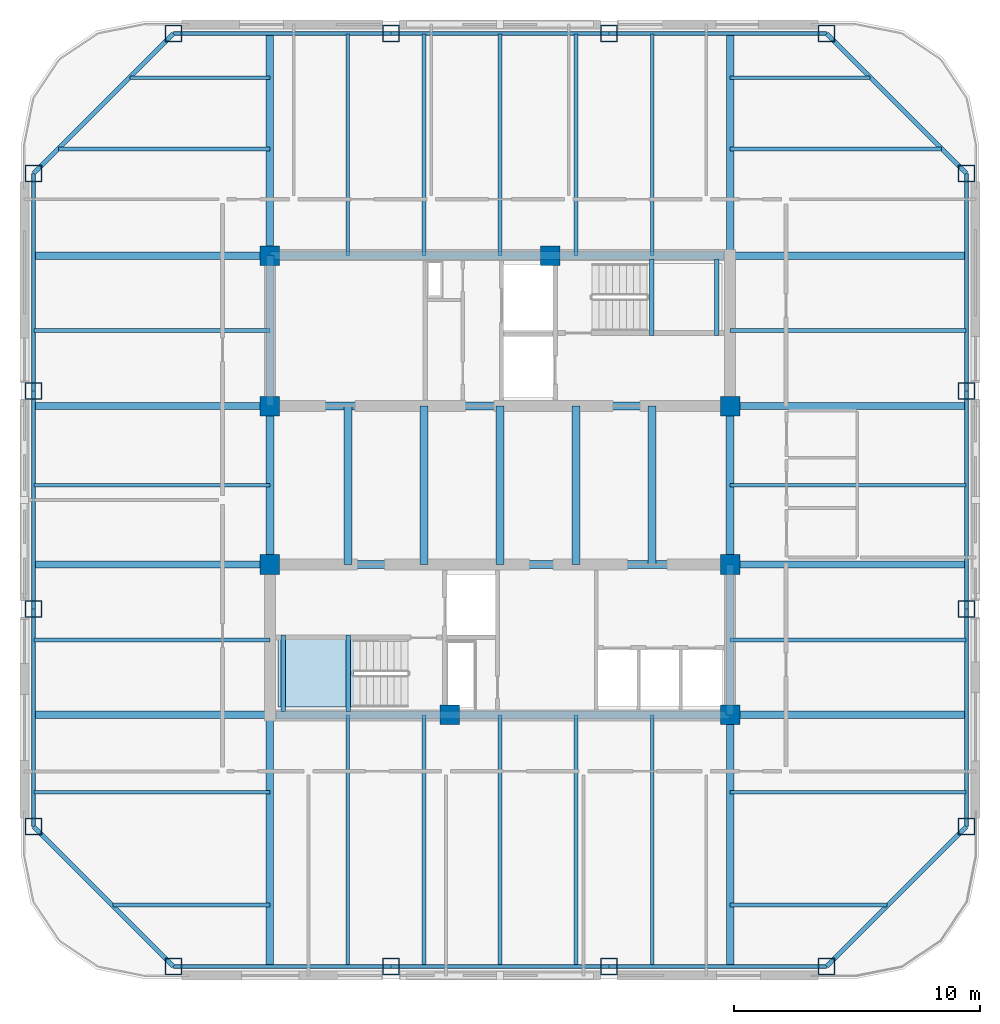
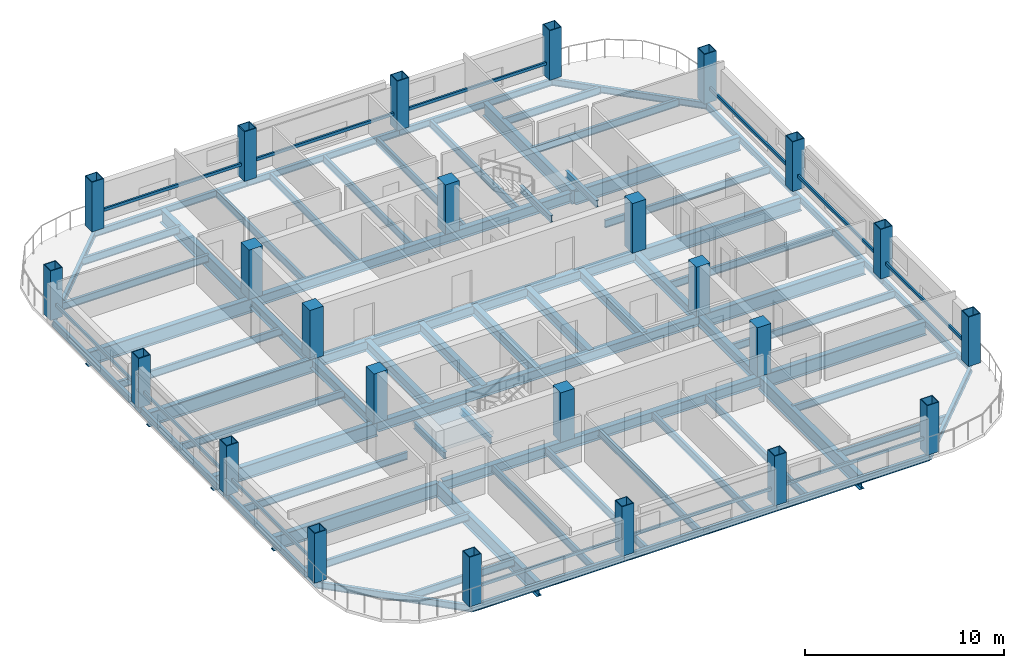
# One storey, part 1 of 8: 69 beams, 24 columns, 4 members, 1 slab, 1 element without a shape of its own.
"""IFC4 building model written with IfcOpenShell, lengths in metres."""

from ifc_helpers import new_model, si_unit, direction, frame, origin, origin_2d, place, context, subcontext, project, spatial, polyline, rectangle, hollow_rectangle, i_section, outline, extrude, material, layer, layer_set, material_profile, profile_set, type_object, element, aggregate, save


model = new_model("IFC4")

# Units and contexts
model_context = context("Model", 3, precision=1e-05, world=origin(), true_north=direction((0.0, 1.0)))
body_context = subcontext(model_context, "Body", "Model", "MODEL_VIEW")
ifc_project = project(units=[si_unit("LENGTHUNIT", "METRE"), si_unit("AREAUNIT", "SQUARE_METRE"), si_unit("VOLUMEUNIT", "CUBIC_METRE"), si_unit("PLANEANGLEUNIT", "RADIAN"), si_unit("MASSUNIT", "GRAM", prefix="KILO")], contexts=[model_context])

# Site, building, storey
site_placement = place(None, origin())
site = spatial("IfcSite", under=ifc_project, at=site_placement, CompositionType="ELEMENT")
building_placement = place(site_placement, origin())
building = spatial("IfcBuilding", under=site, at=building_placement, Name="Qhalaya Broadcast Tower", CompositionType="ELEMENT")
storey_placement = place(building_placement, frame((0.0, 0.0, 208.64990234375)))
storey = spatial("IfcBuildingStorey", under=building, at=storey_placement, Name="L61", CompositionType="ELEMENT", Elevation=208.64990234375)

# Columns
ifc_material_1 = material(Name="Concrete C50/60", Category="concrete")
ifc_material_profile_1 = material_profile(ifc_material_1, rectangle(XDim=0.800048828125, YDim=0.800048828125, at=origin_2d()), Name="RC-COL 800x800")
ifc_profile_set_1 = profile_set([ifc_material_profile_1], Name="Concrete C50/60")
column_type_1 = type_object("IfcColumnType", Name="RC Upper Column C10", PredefinedType="COLUMN", material=ifc_profile_set_1)
for number, where, z_axis, x_axis, name in (
    (1, (-9.375, 9.949951171875, 0.0), (0.0, 0.0, 1.0), (1.0, 0.0, 0.0), "L61 Column COL-CC1"),
    (2, (2.050048828125, 9.949951171875, 0.0), (0.0, 0.0, 1.0), (1.0, 0.0, 0.0), "L61 Column COL-CC2"),
    (3, (-9.375, 3.824951171875, 0.0), (0.0, 0.0, 1.0), (1.0, 0.0, 0.0), "L61 Column COL-CC3"),
    (4, (9.375, 3.824951171875, 0.0), (0.0, 0.0, 1.0), (1.0, 0.0, 0.0), "L61 Column COL-CC4"),
    (5, (-9.375, -2.625, 0.0), (0.0, 0.0, 1.0), (1.0, 0.0, 0.0), "L61 Column COL-CC5"),
    (6, (9.375, -2.625, 0.0), (0.0, 0.0, 1.0), (1.0, 0.0, 0.0), "L61 Column COL-CC6"),
    (7, (-2.050048828125, -8.75, 0.0), (0.0, 0.0, 1.0), (1.0, 0.0, 0.0), "L61 Column COL-CC7"),
    (8, (9.375, -8.75, 0.0), (0.0, 0.0, 1.0), (1.0, 0.0, 0.0), "L61 Column COL-CC8"),
):
    element("IfcColumn", number, at=place(storey_placement, frame(where, z_axis=z_axis, x_axis=x_axis)), inside=storey, type_object=column_type_1, Name=name, PredefinedType="COLUMN", context=body_context, shape_type="SweptSolid", body=[
        extrude(rectangle(XDim=0.800048828125, YDim=0.800048828125, at=origin_2d()), origin(), (0.0, 0.0, 1.0), 3.050048828125),
    ])
ifc_material_2 = material(Name="Structural Steel ASTM A572 Grade 50", Category="steel")
ifc_material_profile_2 = material_profile(ifc_material_2, hollow_rectangle(XDim=0.699951171875, YDim=0.699951171875, WallThickness=0.044921875, at=origin_2d()), Name="BOX 700x700x45")
ifc_profile_set_2 = profile_set([ifc_material_profile_2], Name="Structural Steel ASTM A572 Grade 50")
column_type_2 = type_object("IfcColumnType", Name="Steel Box Column C04", PredefinedType="COLUMN", material=ifc_profile_set_2)
for number, where, z_axis, x_axis, name in (
    (9, (-13.300048828125, -19.0, 0.0), (0.0, 0.0, 1.0), (1.0, 0.0, 0.0), "L61 Column COL-EX01"),
    (10, (-4.433349609375, -19.0, 0.0), (0.0, 0.0, 1.0), (1.0, 0.0, 0.0), "L61 Column COL-EX02"),
    (11, (4.433349609375, -19.0, 0.0), (0.0, 0.0, 1.0), (1.0, 0.0, 0.0), "L61 Column COL-EX03"),
    (12, (13.300048828125, -19.0, 0.0), (0.0, 0.0, 1.0), (1.0, 0.0, 0.0), "L61 Column COL-EX04"),
    (13, (19.0, -13.300048828125, 0.0), (0.0, 0.0, 1.0), (0.0, 1.0, 0.0), "L61 Column COL-EX05"),
    (14, (19.0, -4.433349609375, 0.0), (0.0, 0.0, 1.0), (0.0, 1.0, 0.0), "L61 Column COL-EX06"),
    (15, (19.0, 4.433349609375, 0.0), (0.0, 0.0, 1.0), (0.0, 1.0, 0.0), "L61 Column COL-EX07"),
    (16, (19.0, 13.300048828125, 0.0), (0.0, 0.0, 1.0), (0.0, 1.0, 0.0), "L61 Column COL-EX08"),
    (17, (13.300048828125, 19.0, 0.0), (0.0, 0.0, 1.0), (1.0, 0.0, 0.0), "L61 Column COL-EX09"),
    (18, (4.433349609375, 19.0, 0.0), (0.0, 0.0, 1.0), (1.0, 0.0, 0.0), "L61 Column COL-EX10"),
    (19, (-4.433349609375, 19.0, 0.0), (0.0, 0.0, 1.0), (1.0, 0.0, 0.0), "L61 Column COL-EX11"),
    (20, (-13.300048828125, 19.0, 0.0), (0.0, 0.0, 1.0), (1.0, 0.0, 0.0), "L61 Column COL-EX12"),
    (21, (-19.0, 13.300048828125, 0.0), (0.0, 0.0, 1.0), (0.0, 1.0, 0.0), "L61 Column COL-EX13"),
    (22, (-19.0, 4.433349609375, 0.0), (0.0, 0.0, 1.0), (0.0, 1.0, 0.0), "L61 Column COL-EX14"),
    (23, (-19.0, -4.433349609375, 0.0), (0.0, 0.0, 1.0), (0.0, 1.0, 0.0), "L61 Column COL-EX15"),
    (24, (-19.0, -13.300048828125, 0.0), (0.0, 0.0, 1.0), (0.0, 1.0, 0.0), "L61 Column COL-EX16"),
):
    element("IfcColumn", number, at=place(storey_placement, frame(where, z_axis=z_axis, x_axis=x_axis)), inside=storey, type_object=column_type_2, Name=name, PredefinedType="COLUMN", context=body_context, shape_type="SweptSolid", body=[
        extrude(hollow_rectangle(XDim=0.699951171875, YDim=0.699951171875, WallThickness=0.044921875, at=origin_2d()), origin(), (0.0, 0.0, 1.0), 3.050048828125),
    ])

# Beams
ifc_material_3 = material(Name="Structural Steel ASTM A992 Grade 50", Category="steel")
ifc_material_profile_3 = material_profile(ifc_material_3, i_section(OverallWidth=0.154052734375, OverallDepth=0.458984375, WebThickness=0.009033203125, FlangeThickness=0.015380859375, at=origin_2d()), Name="W18X46")
ifc_profile_set_3 = profile_set([ifc_material_profile_3], Name="Structural Steel ASTM A992 Grade 50")
beam_type_1 = type_object("IfcBeamType", Name="Composite Floor Joist J04", PredefinedType="JOIST", material=ifc_profile_set_3)
beam_1_placement = place(storey_placement, frame((-6.199951171875, -18.97998046875, -0.41943359375), z_axis=(0.0, 1.0, 0.0), x_axis=(-1.0, 0.0, 0.0)))
element("IfcBeam", 25, at=beam_1_placement, inside=storey, type_object=beam_type_1, Name="L61 J04 L61-JNS1-1", PredefinedType="JOIST", context=body_context, shape_type="SweptSolid", body=[
    extrude(i_section(OverallWidth=0.154052734375, OverallDepth=0.458984375, WebThickness=0.009033203125, FlangeThickness=0.015380859375, at=origin_2d()), origin(), (0.0, 0.0, 1.0), 10.22998046875),
])
beam_2_placement = place(storey_placement, frame((-6.199951171875, 9.949951171875, -0.41943359375), z_axis=(0.0, 1.0, 0.0), x_axis=(-1.0, 0.0, 0.0)))
element("IfcBeam", 26, at=beam_2_placement, inside=storey, type_object=beam_type_1, Name="L61 J04 L61-JNN1-1", PredefinedType="JOIST", context=body_context, shape_type="SweptSolid", body=[
    extrude(i_section(OverallWidth=0.154052734375, OverallDepth=0.458984375, WebThickness=0.009033203125, FlangeThickness=0.015380859375, at=origin_2d()), origin(), (0.0, 0.0, 1.0), 9.030029296875),
])
beam_3_placement = place(storey_placement, frame((-3.10009765625, -18.97998046875, -0.41943359375), z_axis=(0.0, 1.0, 0.0), x_axis=(-1.0, 0.0, 0.0)))
element("IfcBeam", 27, at=beam_3_placement, inside=storey, type_object=beam_type_1, Name="L61 J04 L61-JNS2-1", PredefinedType="JOIST", context=body_context, shape_type="SweptSolid", body=[
    extrude(i_section(OverallWidth=0.154052734375, OverallDepth=0.458984375, WebThickness=0.009033203125, FlangeThickness=0.015380859375, at=origin_2d()), origin(), (0.0, 0.0, 1.0), 10.22998046875),
])
beam_4_placement = place(storey_placement, frame((-3.10009765625, 9.949951171875, -0.41943359375), z_axis=(0.0, 1.0, 0.0), x_axis=(-1.0, 0.0, 0.0)))
element("IfcBeam", 28, at=beam_4_placement, inside=storey, type_object=beam_type_1, Name="L61 J04 L61-JNN2-1", PredefinedType="JOIST", context=body_context, shape_type="SweptSolid", body=[
    extrude(i_section(OverallWidth=0.154052734375, OverallDepth=0.458984375, WebThickness=0.009033203125, FlangeThickness=0.015380859375, at=origin_2d()), origin(), (0.0, 0.0, 1.0), 9.030029296875),
])
beam_5_placement = place(storey_placement, frame((0.0, -18.97998046875, -0.41943359375), z_axis=(0.0, 1.0, 0.0), x_axis=(-1.0, 0.0, 0.0)))
element("IfcBeam", 29, at=beam_5_placement, inside=storey, type_object=beam_type_1, Name="L61 J04 L61-JNS3-1", PredefinedType="JOIST", context=body_context, shape_type="SweptSolid", body=[
    extrude(i_section(OverallWidth=0.154052734375, OverallDepth=0.458984375, WebThickness=0.009033203125, FlangeThickness=0.015380859375, at=origin_2d()), origin(), (0.0, 0.0, 1.0), 10.22998046875),
])
beam_6_placement = place(storey_placement, frame((0.0, 9.949951171875, -0.41943359375), z_axis=(0.0, 1.0, 0.0), x_axis=(-1.0, 0.0, 0.0)))
element("IfcBeam", 30, at=beam_6_placement, inside=storey, type_object=beam_type_1, Name="L61 J04 L61-JNN3-1", PredefinedType="JOIST", context=body_context, shape_type="SweptSolid", body=[
    extrude(i_section(OverallWidth=0.154052734375, OverallDepth=0.458984375, WebThickness=0.009033203125, FlangeThickness=0.015380859375, at=origin_2d()), origin(), (0.0, 0.0, 1.0), 9.030029296875),
])
beam_7_placement = place(storey_placement, frame((3.10009765625, -18.97998046875, -0.41943359375), z_axis=(0.0, 1.0, 0.0), x_axis=(-1.0, 0.0, 0.0)))
element("IfcBeam", 31, at=beam_7_placement, inside=storey, type_object=beam_type_1, Name="L61 J04 L61-JNS4-1", PredefinedType="JOIST", context=body_context, shape_type="SweptSolid", body=[
    extrude(i_section(OverallWidth=0.154052734375, OverallDepth=0.458984375, WebThickness=0.009033203125, FlangeThickness=0.015380859375, at=origin_2d()), origin(), (0.0, 0.0, 1.0), 10.22998046875),
])
beam_8_placement = place(storey_placement, frame((3.10009765625, 9.949951171875, -0.41943359375), z_axis=(0.0, 1.0, 0.0), x_axis=(-1.0, 0.0, 0.0)))
element("IfcBeam", 32, at=beam_8_placement, inside=storey, type_object=beam_type_1, Name="L61 J04 L61-JNN4-1", PredefinedType="JOIST", context=body_context, shape_type="SweptSolid", body=[
    extrude(i_section(OverallWidth=0.154052734375, OverallDepth=0.458984375, WebThickness=0.009033203125, FlangeThickness=0.015380859375, at=origin_2d()), origin(), (0.0, 0.0, 1.0), 9.030029296875),
])
beam_9_placement = place(storey_placement, frame((6.199951171875, -18.97998046875, -0.41943359375), z_axis=(0.0, 1.0, 0.0), x_axis=(-1.0, 0.0, 0.0)))
element("IfcBeam", 33, at=beam_9_placement, inside=storey, type_object=beam_type_1, Name="L61 J04 L61-JNS5-1", PredefinedType="JOIST", context=body_context, shape_type="SweptSolid", body=[
    extrude(i_section(OverallWidth=0.154052734375, OverallDepth=0.458984375, WebThickness=0.009033203125, FlangeThickness=0.015380859375, at=origin_2d()), origin(), (0.0, 0.0, 1.0), 10.22998046875),
])
beam_10_placement = place(storey_placement, frame((6.199951171875, 9.949951171875, -0.41943359375), z_axis=(0.0, 1.0, 0.0), x_axis=(-1.0, 0.0, 0.0)))
element("IfcBeam", 34, at=beam_10_placement, inside=storey, type_object=beam_type_1, Name="L61 J04 L61-JNN5-1", PredefinedType="JOIST", context=body_context, shape_type="SweptSolid", body=[
    extrude(i_section(OverallWidth=0.154052734375, OverallDepth=0.458984375, WebThickness=0.009033203125, FlangeThickness=0.015380859375, at=origin_2d()), origin(), (0.0, 0.0, 1.0), 9.030029296875),
])
for number, where, z_axis, x_axis, name in (
    (35, (-15.771728515625, -16.5, -0.41943359375), (1.0, 0.0, 0.0), (0.0, 1.0, 0.0), "L61 J04 L61-JWE1W-1"),
    (36, (9.375, -16.5, -0.41943359375), (1.0, 0.0, 0.0), (0.0, 1.0, 0.0), "L61 J04 L61-JWE1E-1"),
):
    element("IfcBeam", number, at=place(storey_placement, frame(where, z_axis=z_axis, x_axis=x_axis)), inside=storey, type_object=beam_type_1, Name=name, PredefinedType="JOIST", context=body_context, shape_type="SweptSolid", body=[
        extrude(i_section(OverallWidth=0.154052734375, OverallDepth=0.458984375, WebThickness=0.009033203125, FlangeThickness=0.015380859375, at=origin_2d()), origin(), (0.0, 0.0, 1.0), 6.396728515625),
    ])
for number, where, z_axis, x_axis, name in (
    (37, (-18.97998046875, -11.89990234375, -0.41943359375), (1.0, 0.0, 0.0), (0.0, 1.0, 0.0), "L61 J04 L61-JWE2W-1"),
    (38, (9.375, -11.89990234375, -0.41943359375), (1.0, 0.0, 0.0), (0.0, 1.0, 0.0), "L61 J04 L61-JWE2E-1"),
    (39, (-18.97998046875, -5.699951171875, -0.41943359375), (1.0, 0.0, 0.0), (0.0, 1.0, 0.0), "L61 J04 L61-JWE3W-1"),
    (40, (9.375, -5.699951171875, -0.41943359375), (1.0, 0.0, 0.0), (0.0, 1.0, 0.0), "L61 J04 L61-JWE3E-1"),
    (41, (-18.97998046875, 0.60009765625, -0.41943359375), (1.0, 0.0, 0.0), (0.0, 1.0, 0.0), "L61 J04 L61-JWE4W-1"),
    (42, (9.375, 0.60009765625, -0.41943359375), (1.0, 0.0, 0.0), (0.0, 1.0, 0.0), "L61 J04 L61-JWE4E-1"),
    (43, (-18.97998046875, 6.89990234375, -0.41943359375), (1.0, 0.0, 0.0), (0.0, 1.0, 0.0), "L61 J04 L61-JWE5W-1"),
    (44, (9.375, 6.89990234375, -0.41943359375), (1.0, 0.0, 0.0), (0.0, 1.0, 0.0), "L61 J04 L61-JWE5E-1"),
):
    element("IfcBeam", number, at=place(storey_placement, frame(where, z_axis=z_axis, x_axis=x_axis)), inside=storey, type_object=beam_type_1, Name=name, PredefinedType="JOIST", context=body_context, shape_type="SweptSolid", body=[
        extrude(i_section(OverallWidth=0.154052734375, OverallDepth=0.458984375, WebThickness=0.009033203125, FlangeThickness=0.015380859375, at=origin_2d()), origin(), (0.0, 0.0, 1.0), 9.60498046875),
    ])
for number, where, z_axis, x_axis, name in (
    (45, (-17.9716796875, 14.300048828125, -0.41943359375), (1.0, 0.0, 0.0), (0.0, 1.0, 0.0), "L61 J04 L61-JWE6W-1"),
    (46, (9.375, 14.300048828125, -0.41943359375), (1.0, 0.0, 0.0), (0.0, 1.0, 0.0), "L61 J04 L61-JWE6E-1"),
):
    element("IfcBeam", number, at=place(storey_placement, frame(where, z_axis=z_axis, x_axis=x_axis)), inside=storey, type_object=beam_type_1, Name=name, PredefinedType="JOIST", context=body_context, shape_type="SweptSolid", body=[
        extrude(i_section(OverallWidth=0.154052734375, OverallDepth=0.458984375, WebThickness=0.009033203125, FlangeThickness=0.015380859375, at=origin_2d()), origin(), (0.0, 0.0, 1.0), 8.5966796875),
    ])
for number, where, z_axis, x_axis, name in (
    (47, (-15.07177734375, 17.199951171875, -0.41943359375), (1.0, 0.0, 0.0), (0.0, 1.0, 0.0), "L61 J04 L61-JWE7W-1"),
    (48, (9.375, 17.199951171875, -0.41943359375), (1.0, 0.0, 0.0), (0.0, 1.0, 0.0), "L61 J04 L61-JWE7E-1"),
):
    element("IfcBeam", number, at=place(storey_placement, frame(where, z_axis=z_axis, x_axis=x_axis)), inside=storey, type_object=beam_type_1, Name=name, PredefinedType="JOIST", context=body_context, shape_type="SweptSolid", body=[
        extrude(i_section(OverallWidth=0.154052734375, OverallDepth=0.458984375, WebThickness=0.009033203125, FlangeThickness=0.015380859375, at=origin_2d()), origin(), (0.0, 0.0, 1.0), 5.69677734375),
    ])
ifc_material_profile_4 = material_profile(ifc_material_3, i_section(OverallWidth=0.323974609375, OverallDepth=0.612060546875, WebThickness=0.0126953125, FlangeThickness=0.01904296875, at=origin_2d()), Name="W24X104")
ifc_profile_set_4 = profile_set([ifc_material_profile_4], Name="Structural Steel ASTM A992 Grade 50")
beam_type_2 = type_object("IfcBeamType", Name="Core Frame Tie Beam B04", PredefinedType="BEAM", material=ifc_profile_set_4)
beam_11_placement = place(storey_placement, frame((-9.375, 3.824951171875, -0.495849609375), z_axis=(1.0, 0.0, 0.0), x_axis=(0.0, 1.0, 0.0)))
element("IfcBeam", 49, at=beam_11_placement, inside=storey, type_object=beam_type_2, Name="L61 B04 L61-CCN1", PredefinedType="BEAM", context=body_context, shape_type="SweptSolid", body=[
    extrude(i_section(OverallWidth=0.323974609375, OverallDepth=0.612060546875, WebThickness=0.0126953125, FlangeThickness=0.01904296875, at=origin_2d()), origin(), (0.0, 0.0, 1.0), 18.75),
])
beam_12_placement = place(storey_placement, frame((-9.375, 3.824951171875, -0.495849609375), z_axis=(0.0, 1.0, 0.0), x_axis=(-1.0, 0.0, 0.0)))
element("IfcBeam", 50, at=beam_12_placement, inside=storey, type_object=beam_type_2, Name="L61 B04 L61-CCN2", PredefinedType="BEAM", context=body_context, shape_type="SweptSolid", body=[
    extrude(i_section(OverallWidth=0.323974609375, OverallDepth=0.612060546875, WebThickness=0.0126953125, FlangeThickness=0.01904296875, at=origin_2d()), origin(), (0.0, 0.0, 1.0), 6.125),
])
beam_13_placement = place(storey_placement, frame((-9.375, 9.949951171875, -0.495849609375), z_axis=(1.0, 0.0, 0.0), x_axis=(0.0, 1.0, 0.0)))
element("IfcBeam", 51, at=beam_13_placement, inside=storey, type_object=beam_type_2, Name="L61 B04 L61-CCN3", PredefinedType="BEAM", context=body_context, shape_type="SweptSolid", body=[
    extrude(i_section(OverallWidth=0.323974609375, OverallDepth=0.612060546875, WebThickness=0.0126953125, FlangeThickness=0.01904296875, at=origin_2d()), origin(), (0.0, 0.0, 1.0), 18.4951171875),
])
beam_14_placement = place(storey_placement, frame((-9.375, -2.625, -0.495849609375), z_axis=(1.0, 0.0, 0.0), x_axis=(0.0, 1.0, 0.0)))
element("IfcBeam", 52, at=beam_14_placement, inside=storey, type_object=beam_type_2, Name="L61 B04 L61-CCS1", PredefinedType="BEAM", context=body_context, shape_type="SweptSolid", body=[
    extrude(i_section(OverallWidth=0.323974609375, OverallDepth=0.612060546875, WebThickness=0.0126953125, FlangeThickness=0.01904296875, at=origin_2d()), origin(), (0.0, 0.0, 1.0), 18.75),
])
beam_15_placement = place(storey_placement, frame((9.375, -8.75, -0.495849609375), z_axis=(0.0, 1.0, 0.0), x_axis=(-1.0, 0.0, 0.0)))
element("IfcBeam", 53, at=beam_15_placement, inside=storey, type_object=beam_type_2, Name="L61 B04 L61-CCS2", PredefinedType="BEAM", context=body_context, shape_type="SweptSolid", body=[
    extrude(i_section(OverallWidth=0.323974609375, OverallDepth=0.612060546875, WebThickness=0.0126953125, FlangeThickness=0.01904296875, at=origin_2d()), origin(), (0.0, 0.0, 1.0), 6.125),
])
beam_16_placement = place(storey_placement, frame((-9.1201171875, -8.75, -0.495849609375), z_axis=(1.0, 0.0, 0.0), x_axis=(0.0, 1.0, 0.0)))
element("IfcBeam", 54, at=beam_16_placement, inside=storey, type_object=beam_type_2, Name="L61 B04 L61-CCS3", PredefinedType="BEAM", context=body_context, shape_type="SweptSolid", body=[
    extrude(i_section(OverallWidth=0.323974609375, OverallDepth=0.612060546875, WebThickness=0.0126953125, FlangeThickness=0.01904296875, at=origin_2d()), origin(), (0.0, 0.0, 1.0), 18.4951171875),
])
for number, where, z_axis, x_axis, name in (
    (55, (-9.375, -2.625, -0.495849609375), (0.0, 1.0, 0.0), (-1.0, 0.0, 0.0), "L61 B04 L61-CCW"),
    (56, (9.375, -2.625, -0.495849609375), (0.0, 1.0, 0.0), (-1.0, 0.0, 0.0), "L61 B04 L61-CCE"),
    (57, (-6.199951171875, -2.625, -0.495849609375), (0.0, 1.0, 0.0), (-1.0, 0.0, 0.0), "L61 B04 L61-JC1-1"),
    (58, (-3.10009765625, -2.625, -0.495849609375), (0.0, 1.0, 0.0), (-1.0, 0.0, 0.0), "L61 B04 L61-JC2-1"),
    (59, (0.0, -2.625, -0.495849609375), (0.0, 1.0, 0.0), (-1.0, 0.0, 0.0), "L61 B04 L61-JC3-1"),
    (60, (3.10009765625, -2.625, -0.495849609375), (0.0, 1.0, 0.0), (-1.0, 0.0, 0.0), "L61 B04 L61-JC4-1"),
    (61, (6.199951171875, -2.625, -0.495849609375), (0.0, 1.0, 0.0), (-1.0, 0.0, 0.0), "L61 B04 L61-JC5-1"),
):
    element("IfcBeam", number, at=place(storey_placement, frame(where, z_axis=z_axis, x_axis=x_axis)), inside=storey, type_object=beam_type_2, Name=name, PredefinedType="BEAM", context=body_context, shape_type="SweptSolid", body=[
        extrude(i_section(OverallWidth=0.323974609375, OverallDepth=0.612060546875, WebThickness=0.0126953125, FlangeThickness=0.01904296875, at=origin_2d()), origin(), (0.0, 0.0, 1.0), 6.449951171875),
    ])

# Members
ifc_material_4 = material(Name="Fired Architectural Terracotta", Category="masonry")
ifc_material_profile_5 = material_profile(ifc_material_4, hollow_rectangle(XDim=0.110107421875, YDim=0.179931640625, WallThickness=0.01806640625, at=origin_2d()), Name="TB-BAG 110x180x18")
ifc_profile_set_5 = profile_set([ifc_material_profile_5], Name="Fired Architectural Terracotta")
member_type = type_object("IfcMemberType", Name="Fired Terracotta Facade Baguette Member TB1", PredefinedType="USERDEFINED", material=ifc_profile_set_5)
for number, where, z_axis, x_axis, name in (
    (62, (-13.300048828125, -19.0, 0.858154296875), (1.0, 0.0, 0.0), (0.0, 1.0, 0.0), "L61 Terracotta Baguette Feature Rail S"),
    (63, (19.0, -13.300048828125, 0.858154296875), (0.0, 1.0, 0.0), (-1.0, 0.0, 0.0), "L61 Terracotta Baguette Feature Rail E"),
    (64, (13.300048828125, 19.0, 0.858154296875), (-1.0, 0.0, 0.0), (0.0, -1.0, 0.0), "L61 Terracotta Baguette Feature Rail N"),
    (65, (-19.0, 13.300048828125, 0.858154296875), (0.0, -1.0, 0.0), (1.0, 0.0, 0.0), "L61 Terracotta Baguette Feature Rail W"),
):
    element("IfcMember", number, at=place(storey_placement, frame(where, z_axis=z_axis, x_axis=x_axis)), inside=storey, type_object=member_type, Name=name, ObjectType="BAGUETTE", PredefinedType="USERDEFINED", context=body_context, shape_type="SweptSolid", body=[
        extrude(hollow_rectangle(XDim=0.110107421875, YDim=0.179931640625, WallThickness=0.01806640625, at=origin_2d()), origin(), (0.0, 0.0, 1.0), 26.60009765625),
    ])

# Beams
ifc_material_profile_6 = material_profile(ifc_material_3, i_section(OverallWidth=0.2919921875, OverallDepth=0.85888671875, WebThickness=0.01708984375, FlangeThickness=0.031005859375, at=origin_2d()), Name="W33X169")
ifc_profile_set_6 = profile_set([ifc_material_profile_6], Name="Structural Steel ASTM A992 Grade 50")
beam_type_3 = type_object("IfcBeamType", Name="Upper Block Primary Girder PG4", PredefinedType="USERDEFINED", material=ifc_profile_set_6)
beam_17_placement = place(storey_placement, frame((-9.375, -18.97998046875, -0.619384765625), z_axis=(0.0, 1.0, 0.0), x_axis=(-1.0, 0.0, 0.0)))
element("IfcBeam", 66, at=beam_17_placement, inside=storey, type_object=beam_type_3, Name="L61 PG4 L61-PGXS1-1", ObjectType="GIRDER", PredefinedType="USERDEFINED", context=body_context, shape_type="SweptSolid", body=[
    extrude(i_section(OverallWidth=0.2919921875, OverallDepth=0.85888671875, WebThickness=0.01708984375, FlangeThickness=0.031005859375, at=origin_2d()), origin(), (0.0, 0.0, 1.0), 10.22998046875),
])
beam_18_placement = place(storey_placement, frame((-9.375, 9.949951171875, -0.619384765625), z_axis=(0.0, 1.0, 0.0), x_axis=(-1.0, 0.0, 0.0)))
element("IfcBeam", 67, at=beam_18_placement, inside=storey, type_object=beam_type_3, Name="L61 PG4 L61-PGXN1-1", ObjectType="GIRDER", PredefinedType="USERDEFINED", context=body_context, shape_type="SweptSolid", body=[
    extrude(i_section(OverallWidth=0.2919921875, OverallDepth=0.85888671875, WebThickness=0.01708984375, FlangeThickness=0.031005859375, at=origin_2d()), origin(), (0.0, 0.0, 1.0), 9.030029296875),
])
beam_19_placement = place(storey_placement, frame((9.375, -18.97998046875, -0.619384765625), z_axis=(0.0, 1.0, 0.0), x_axis=(-1.0, 0.0, 0.0)))
element("IfcBeam", 68, at=beam_19_placement, inside=storey, type_object=beam_type_3, Name="L61 PG4 L61-PGXS2-1", ObjectType="GIRDER", PredefinedType="USERDEFINED", context=body_context, shape_type="SweptSolid", body=[
    extrude(i_section(OverallWidth=0.2919921875, OverallDepth=0.85888671875, WebThickness=0.01708984375, FlangeThickness=0.031005859375, at=origin_2d()), origin(), (0.0, 0.0, 1.0), 10.22998046875),
])
beam_20_placement = place(storey_placement, frame((9.375, 9.949951171875, -0.619384765625), z_axis=(0.0, 1.0, 0.0), x_axis=(-1.0, 0.0, 0.0)))
element("IfcBeam", 69, at=beam_20_placement, inside=storey, type_object=beam_type_3, Name="L61 PG4 L61-PGXN2-1", ObjectType="GIRDER", PredefinedType="USERDEFINED", context=body_context, shape_type="SweptSolid", body=[
    extrude(i_section(OverallWidth=0.2919921875, OverallDepth=0.85888671875, WebThickness=0.01708984375, FlangeThickness=0.031005859375, at=origin_2d()), origin(), (0.0, 0.0, 1.0), 9.030029296875),
])
for number, where, z_axis, x_axis, name in (
    (70, (-18.97998046875, -8.75, -0.619384765625), (1.0, 0.0, 0.0), (0.0, 1.0, 0.0), "L61 PG4 L61-PGYW1-1"),
    (71, (9.375, -8.75, -0.619384765625), (1.0, 0.0, 0.0), (0.0, 1.0, 0.0), "L61 PG4 L61-PGYE1-1"),
    (72, (-18.97998046875, -2.625, -0.619384765625), (1.0, 0.0, 0.0), (0.0, 1.0, 0.0), "L61 PG4 L61-PGYW2-1"),
    (73, (9.375, -2.625, -0.619384765625), (1.0, 0.0, 0.0), (0.0, 1.0, 0.0), "L61 PG4 L61-PGYE2-1"),
    (74, (-18.97998046875, 3.824951171875, -0.619384765625), (1.0, 0.0, 0.0), (0.0, 1.0, 0.0), "L61 PG4 L61-PGYW3-1"),
    (75, (9.375, 3.824951171875, -0.619384765625), (1.0, 0.0, 0.0), (0.0, 1.0, 0.0), "L61 PG4 L61-PGYE3-1"),
    (76, (-18.97998046875, 9.949951171875, -0.619384765625), (1.0, 0.0, 0.0), (0.0, 1.0, 0.0), "L61 PG4 L61-PGYW4-1"),
    (77, (9.375, 9.949951171875, -0.619384765625), (1.0, 0.0, 0.0), (0.0, 1.0, 0.0), "L61 PG4 L61-PGYE4-1"),
):
    element("IfcBeam", number, at=place(storey_placement, frame(where, z_axis=z_axis, x_axis=x_axis)), inside=storey, type_object=beam_type_3, Name=name, ObjectType="GIRDER", PredefinedType="USERDEFINED", context=body_context, shape_type="SweptSolid", body=[
        extrude(i_section(OverallWidth=0.2919921875, OverallDepth=0.85888671875, WebThickness=0.01708984375, FlangeThickness=0.031005859375, at=origin_2d()), origin(), (0.0, 0.0, 1.0), 9.60498046875),
    ])
ifc_material_profile_7 = material_profile(ifc_material_3, i_section(OverallWidth=0.177978515625, OverallDepth=0.406005859375, WebThickness=0.0078125, FlangeThickness=0.0126953125, at=origin_2d()), Name="W16X40")
ifc_profile_set_7 = profile_set([ifc_material_profile_7], Name="Structural Steel ASTM A992 Grade 50")
beam_type_4 = type_object("IfcBeamType", Name="Upper Perimeter Spandrel Beam SP2", PredefinedType="SPANDREL", material=ifc_profile_set_7)
for number, where, z_axis, x_axis, name in (
    (78, (-13.300048828125, -19.0, -0.392822265625), (1.0, 0.0, 0.0), (0.0, 1.0, 0.0), "L61 SP2 L61-SPR-01"),
    (79, (-4.433349609375, -19.0, -0.392822265625), (1.0, 0.0, 0.0), (0.0, 1.0, 0.0), "L61 SP2 L61-SPR-02"),
    (80, (4.433349609375, -19.0, -0.392822265625), (1.0, 0.0, 0.0), (0.0, 1.0, 0.0), "L61 SP2 L61-SPR-03"),
):
    element("IfcBeam", number, at=place(storey_placement, frame(where, z_axis=z_axis, x_axis=x_axis)), inside=storey, type_object=beam_type_4, Name=name, PredefinedType="SPANDREL", context=body_context, shape_type="SweptSolid", body=[
        extrude(i_section(OverallWidth=0.177978515625, OverallDepth=0.406005859375, WebThickness=0.0078125, FlangeThickness=0.0126953125, at=origin_2d()), origin(), (0.0, 0.0, 1.0), 8.86669921875),
    ])
beam_21_placement = place(storey_placement, frame((13.300048828125, -19.0, -0.392822265625), z_axis=(0.707106781187, 0.707106781187, 0.0), x_axis=(-0.707106781187, 0.707106781187, 0.0)))
element("IfcBeam", 81, at=beam_21_placement, inside=storey, type_object=beam_type_4, Name="L61 SP2 L61-SPR-04", PredefinedType="SPANDREL", context=body_context, shape_type="SweptSolid", body=[
    extrude(i_section(OverallWidth=0.177978515625, OverallDepth=0.406005859375, WebThickness=0.0078125, FlangeThickness=0.0126953125, at=origin_2d()), origin(), (0.0, 0.0, 1.0), 8.06103515625),
])
for number, where, z_axis, x_axis, name in (
    (82, (19.0, -13.300048828125, -0.392822265625), (0.0, 1.0, 0.0), (-1.0, 0.0, 0.0), "L61 SP2 L61-SPR-05"),
    (83, (19.0, -4.433349609375, -0.392822265625), (0.0, 1.0, 0.0), (-1.0, 0.0, 0.0), "L61 SP2 L61-SPR-06"),
    (84, (19.0, 4.433349609375, -0.392822265625), (0.0, 1.0, 0.0), (-1.0, 0.0, 0.0), "L61 SP2 L61-SPR-07"),
):
    element("IfcBeam", number, at=place(storey_placement, frame(where, z_axis=z_axis, x_axis=x_axis)), inside=storey, type_object=beam_type_4, Name=name, PredefinedType="SPANDREL", context=body_context, shape_type="SweptSolid", body=[
        extrude(i_section(OverallWidth=0.177978515625, OverallDepth=0.406005859375, WebThickness=0.0078125, FlangeThickness=0.0126953125, at=origin_2d()), origin(), (0.0, 0.0, 1.0), 8.86669921875),
    ])
beam_22_placement = place(storey_placement, frame((19.0, 13.300048828125, -0.392822265625), z_axis=(-0.707106781187, 0.707106781187, 0.0), x_axis=(-0.707106781187, -0.707106781187, 0.0)))
element("IfcBeam", 85, at=beam_22_placement, inside=storey, type_object=beam_type_4, Name="L61 SP2 L61-SPR-08", PredefinedType="SPANDREL", context=body_context, shape_type="SweptSolid", body=[
    extrude(i_section(OverallWidth=0.177978515625, OverallDepth=0.406005859375, WebThickness=0.0078125, FlangeThickness=0.0126953125, at=origin_2d()), origin(), (0.0, 0.0, 1.0), 8.06103515625),
])
for number, where, z_axis, x_axis, name in (
    (86, (13.300048828125, 19.0, -0.392822265625), (-1.0, 0.0, 0.0), (0.0, -1.0, 0.0), "L61 SP2 L61-SPR-09"),
    (87, (4.433349609375, 19.0, -0.392822265625), (-1.0, 0.0, 0.0), (0.0, -1.0, 0.0), "L61 SP2 L61-SPR-10"),
    (88, (-4.433349609375, 19.0, -0.392822265625), (-1.0, 0.0, 0.0), (0.0, -1.0, 0.0), "L61 SP2 L61-SPR-11"),
):
    element("IfcBeam", number, at=place(storey_placement, frame(where, z_axis=z_axis, x_axis=x_axis)), inside=storey, type_object=beam_type_4, Name=name, PredefinedType="SPANDREL", context=body_context, shape_type="SweptSolid", body=[
        extrude(i_section(OverallWidth=0.177978515625, OverallDepth=0.406005859375, WebThickness=0.0078125, FlangeThickness=0.0126953125, at=origin_2d()), origin(), (0.0, 0.0, 1.0), 8.86669921875),
    ])
beam_23_placement = place(storey_placement, frame((-13.300048828125, 19.0, -0.392822265625), z_axis=(-0.707106781187, -0.707106781187, 0.0), x_axis=(0.707106781187, -0.707106781187, 0.0)))
element("IfcBeam", 89, at=beam_23_placement, inside=storey, type_object=beam_type_4, Name="L61 SP2 L61-SPR-12", PredefinedType="SPANDREL", context=body_context, shape_type="SweptSolid", body=[
    extrude(i_section(OverallWidth=0.177978515625, OverallDepth=0.406005859375, WebThickness=0.0078125, FlangeThickness=0.0126953125, at=origin_2d()), origin(), (0.0, 0.0, 1.0), 8.06103515625),
])
for number, where, z_axis, x_axis, name in (
    (90, (-19.0, 13.300048828125, -0.392822265625), (0.0, -1.0, 0.0), (1.0, 0.0, 0.0), "L61 SP2 L61-SPR-13"),
    (91, (-19.0, 4.433349609375, -0.392822265625), (0.0, -1.0, 0.0), (1.0, 0.0, 0.0), "L61 SP2 L61-SPR-14"),
    (92, (-19.0, -4.433349609375, -0.392822265625), (0.0, -1.0, 0.0), (1.0, 0.0, 0.0), "L61 SP2 L61-SPR-15"),
):
    element("IfcBeam", number, at=place(storey_placement, frame(where, z_axis=z_axis, x_axis=x_axis)), inside=storey, type_object=beam_type_4, Name=name, PredefinedType="SPANDREL", context=body_context, shape_type="SweptSolid", body=[
        extrude(i_section(OverallWidth=0.177978515625, OverallDepth=0.406005859375, WebThickness=0.0078125, FlangeThickness=0.0126953125, at=origin_2d()), origin(), (0.0, 0.0, 1.0), 8.86669921875),
    ])
beam_24_placement = place(storey_placement, frame((-19.0, -13.300048828125, -0.392822265625), z_axis=(0.707106781187, -0.707106781187, 0.0), x_axis=(0.707106781187, 0.707106781187, 0.0)))
element("IfcBeam", 93, at=beam_24_placement, inside=storey, type_object=beam_type_4, Name="L61 SP2 L61-SPR-16", PredefinedType="SPANDREL", context=body_context, shape_type="SweptSolid", body=[
    extrude(i_section(OverallWidth=0.177978515625, OverallDepth=0.406005859375, WebThickness=0.0078125, FlangeThickness=0.0126953125, at=origin_2d()), origin(), (0.0, 0.0, 1.0), 8.06103515625),
])
for number, where, z_axis, x_axis, name in (
    (94, (6.175048828125, 6.699951171875, 1.1220703125), (0.0, 1.0, 0.0), (-1.0, 0.0, 0.0), "L61 ST-1 Half-Landing Bearer Beam 1"),
    (95, (8.830078125, 6.699951171875, 1.1220703125), (0.0, 1.0, 0.0), (-1.0, 0.0, 0.0), "L61 ST-1 Half-Landing Bearer Beam 2"),
    (96, (-8.830078125, -8.6201171875, 1.1220703125), (0.0, 1.0, 0.0), (-1.0, 0.0, 0.0), "L61 ST-2 Half-Landing Bearer Beam 1"),
    (97, (-6.175048828125, -8.6201171875, 1.1220703125), (0.0, 1.0, 0.0), (-1.0, 0.0, 0.0), "L61 ST-2 Half-Landing Bearer Beam 2"),
):
    element("IfcBeam", number, at=place(storey_placement, frame(where, z_axis=z_axis, x_axis=x_axis)), inside=storey, type_object=beam_type_4, Name=name, PredefinedType="SPANDREL", context=body_context, shape_type="SweptSolid", body=[
        extrude(i_section(OverallWidth=0.177978515625, OverallDepth=0.406005859375, WebThickness=0.0078125, FlangeThickness=0.0126953125, at=origin_2d()), origin(), (0.0, 0.0, 1.0), 3.1201171875),
    ])

# Stair, slab
ifc_material_5 = material(Name="Concrete C40/50", Category="concrete")
stair_type = type_object("IfcStairType", Name="Protected Dogleg Core Stair 3150", PredefinedType="TWO_STRAIGHT_RUN_STAIR", material=ifc_material_5)
stair_placement = place(storey_placement, origin())
stair = element("IfcStair", 98, at=stair_placement, inside=storey, type_object=stair_type, Name="L61 South Core Exit Stair ST-2", PredefinedType="TWO_STRAIGHT_RUN_STAIR")
ifc_layer = layer(ifc_material_5, 0.199951171875, Name="Concrete C40/50")
ifc_layer_set = layer_set([ifc_layer], Name="Concrete C40/50")
slab_type = type_object("IfcSlabType", Name="Stair & Ramp Half-Landing Slab 200", PredefinedType="LANDING", material=ifc_layer_set)
slab_placement = place(storey_placement, frame((0.0, 0.0, 1.3251953125)))
slab = element("IfcSlab", 99, at=slab_placement, type_object=slab_type, Name="ST-2 landing 1", PredefinedType="LANDING", context=body_context, shape_type="SweptSolid", body=[
    extrude(outline(polyline([(-5.955078125, -5.679931640625), (-9.050048828125, -5.679931640625), (-9.050048828125, -8.43994140625), (-5.955078125, -8.43994140625), (-5.955078125, -5.679931640625)])), origin(), (0.0, 0.0, 1.0), 0.199951171875),
])
aggregate(stair, [slab])

save(model, "model.ifc")
